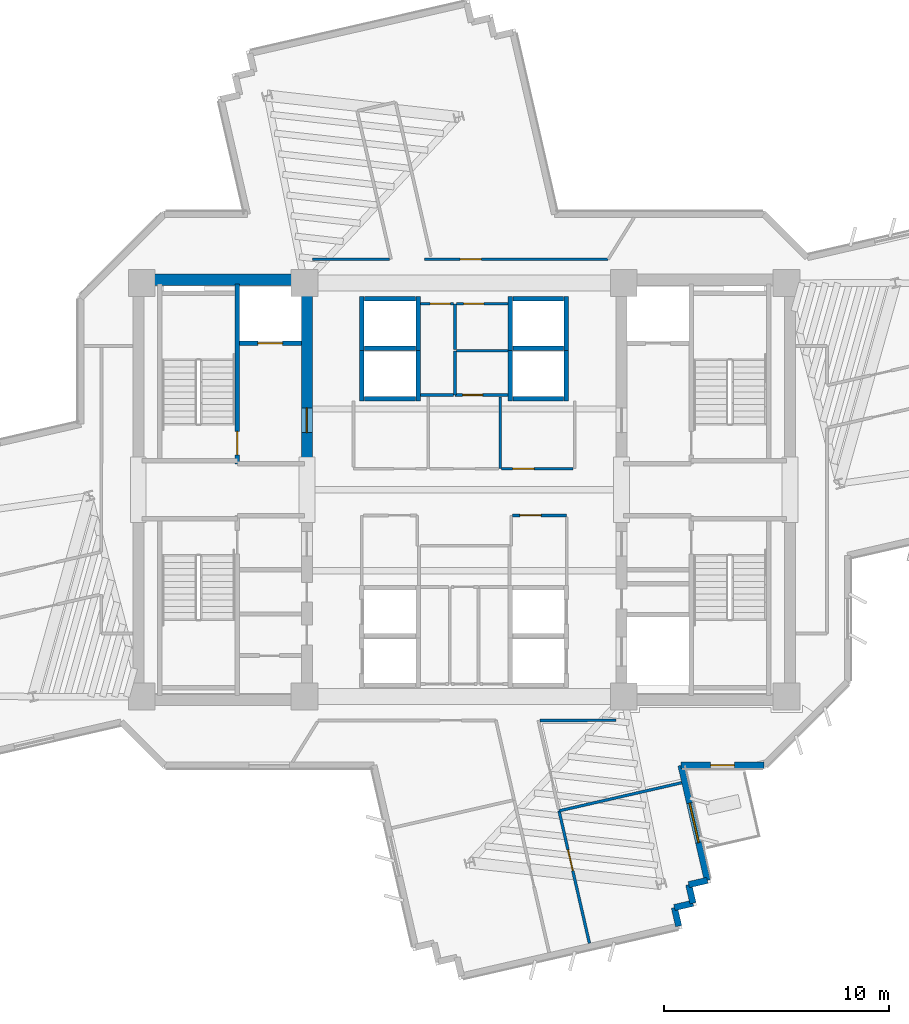
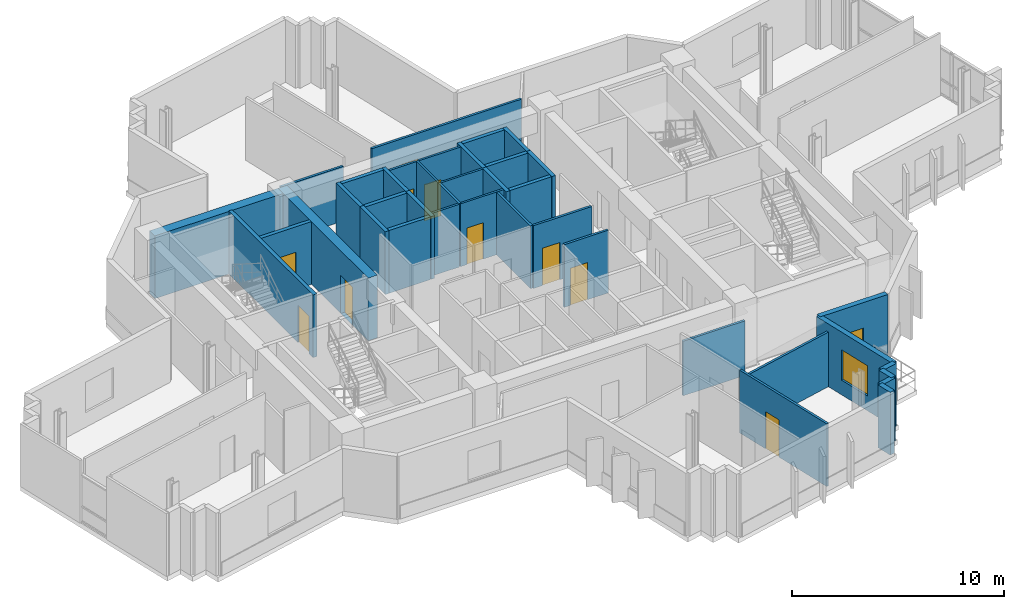
# One storey, part 8 of 13: 39 walls, 11 doors, 1 window, 12 openings.
"""IFC4 building model written with IfcOpenShell, lengths in metres."""

from ifc_helpers import new_model, si_unit, direction, frame, frame_2d, origin, place, context, subcontext, project, spatial, rectangle, extrude, source, transform, mapped, material, layer, layer_set, type_object, element, fill, save


model = new_model("IFC4")

# Units and contexts
model_context = context("Model", 3, precision=1e-05, world=origin(), true_north=direction((0.0, 1.0)))
body_context = subcontext(model_context, "Body", "Model", "MODEL_VIEW")
ifc_project = project(units=[si_unit("LENGTHUNIT", "METRE"), si_unit("AREAUNIT", "SQUARE_METRE"), si_unit("VOLUMEUNIT", "CUBIC_METRE"), si_unit("PLANEANGLEUNIT", "RADIAN"), si_unit("MASSUNIT", "GRAM", prefix="KILO")], contexts=[model_context])

# Site, building, storey
site_placement = place(None, origin())
site = spatial("IfcSite", under=ifc_project, at=site_placement, CompositionType="ELEMENT")
building_placement = place(site_placement, origin())
building = spatial("IfcBuilding", under=site, at=building_placement, Name="Zahravan Cultural Tower", CompositionType="ELEMENT")
storey_placement = place(building_placement, frame((0.0, 0.0, 170.699951171875)))
storey = spatial("IfcBuildingStorey", under=building, at=storey_placement, Name="L39", CompositionType="ELEMENT", Elevation=170.699951171875)

# Wall, opening, door
ifc_material_1 = material(Name="Concrete C60/75", Category="concrete")
ifc_layer_1 = layer(ifc_material_1, 0.5)
ifc_layer_set_1 = layer_set([ifc_layer_1], Name="Concrete C60/75")
wall_type_1 = type_object("IfcWallType", Name="CW-SHEAR-500-C60", PredefinedType="SHEAR", material=ifc_layer_set_1)
wall_1_placement = place(storey_placement, frame((29.0, 28.050048828125, 0.0), z_axis=(0.0, 0.0, 1.0), x_axis=(0.0, 1.0, 0.0)))
wall_1 = element("IfcWall", 1, at=wall_1_placement, inside=storey, type_object=wall_type_1, Name="L39 Core Shear Wall CW-W-EN-L39", PredefinedType="SHEAR", context=body_context, shape_type="SweptSolid", body=[
    extrude(rectangle(XDim=8.550048828125, YDim=0.5, at=frame_2d((4.27490234375, 0.0))), origin(), (0.0, 0.0, 1.0), 3.6201171875),
])
opening_1_placement = place(wall_1_placement, frame((1.5, 0.0, 0.0)))
opening_1 = element("IfcOpeningElement", 2, at=opening_1_placement, cuts=wall_1, Name="Opening D-L39-05", PredefinedType="OPENING", context=body_context, shape_type="SweptSolid", body=[
    extrude(rectangle(XDim=1.10009765625, YDim=2.199951171875, at=frame_2d((0.550048828125, 1.10009765625))), frame((0.0, 0.260009765625, 0.0), z_axis=(0.0, -1.0, 0.0), x_axis=(1.0, 0.0, 0.0)), (0.0, 0.0, 1.0), 0.52001953125),
])
ifc_material_2 = material(Name="Steel ASTM A572 Grade 50", Category="steel")
door_type_1 = type_object("IfcDoorType", Name="DR-LOBBY-1100", OperationType="NOTDEFINED", PredefinedType="DOOR", material=ifc_material_2)
shared_shape_1 = source(origin(), body_context, "Body", "SweptSolid", [
    extrude(rectangle(XDim=1.10009765625, YDim=2.199951171875, at=frame_2d((0.550048828125, 1.10009765625))), frame((0.0, 0.02490234375, 0.0), z_axis=(0.0, -1.0, 0.0), x_axis=(1.0, 0.0, 0.0)), (0.0, 0.0, 1.0), 0.050048828125),
])
door_1_placement = place(opening_1_placement, origin())
door_1 = element("IfcDoor", 3, at=door_1_placement, inside=storey, type_object=door_type_1, Name="L39 Door D-L39-05", OperationType="SINGLE_SWING_LEFT", OverallHeight=2.199951171875, OverallWidth=1.10009765625, PredefinedType="DOOR", context=body_context, shape_type="MappedRepresentation", body=[
    mapped(shared_shape_1, transform((0.0, 0.0, 0.0), x_axis=(1.0, 0.0, 0.0), y_axis=(0.0, 1.0, 0.0), z_axis=(0.0, 0.0, 1.0), scale=1.0)),
])
fill(opening_1, door_1)

ifc_material_3 = material(Name="Precast concrete C40/50", Category="concrete")
ifc_layer_2 = layer(ifc_material_3, 0.280029296875)
ifc_layer_set_2 = layer_set([ifc_layer_2], Name="Precast concrete C40/50")
wall_type_2 = type_object("IfcWallType", Name="EW-TC-280", PredefinedType="SOLIDWALL", material=ifc_layer_set_2)
wall_2_placement = place(storey_placement, frame((49.342041015625, 14.739990234375, 0.0), z_axis=(0.0, 0.0, 1.0), x_axis=(-1.0, 0.0, 0.0)))
wall_2 = element("IfcWall", 4, at=wall_2_placement, inside=storey, type_object=wall_type_2, Name="L39 Exterior Masonry Frame Wall 13", PredefinedType="SOLIDWALL", context=body_context, shape_type="SweptSolid", body=[
    extrude(rectangle(XDim=3.696533203125, YDim=0.280029296875, at=frame_2d((1.84814453125, 0.0))), origin(), (0.0, 0.0, 1.0), 3.6201171875),
])
opening_2_placement = place(wall_2_placement, frame((1.322998046875, 0.0, 0.0)))
opening_2 = element("IfcOpeningElement", 5, at=opening_2_placement, cuts=wall_2, Name="Opening D-L39-TR-SE", PredefinedType="OPENING", context=body_context, shape_type="SweptSolid", body=[
    extrude(rectangle(XDim=1.050048828125, YDim=2.14990234375, at=frame_2d((0.52490234375, 1.074951171875))), frame((0.0, 0.14990234375, 0.0), z_axis=(0.0, -1.0, 0.0), x_axis=(1.0, 0.0, 0.0)), (0.0, 0.0, 1.0), 0.300048828125),
])
ifc_material_4 = material(Name="Anodised bronze-aluminium mullion", Category="aluminium")
door_type_2 = type_object("IfcDoorType", Name="DR-TERR-1050", OperationType="NOTDEFINED", PredefinedType="DOOR", material=ifc_material_4)
shared_shape_2 = source(origin(), body_context, "Body", "SweptSolid", [
    extrude(rectangle(XDim=1.050048828125, YDim=2.14990234375, at=frame_2d((0.52490234375, 1.074951171875))), frame((0.0, 0.02490234375, 0.0), z_axis=(0.0, -1.0, 0.0), x_axis=(1.0, 0.0, 0.0)), (0.0, 0.0, 1.0), 0.050048828125),
])
door_2_placement = place(opening_2_placement, origin())
door_2 = element("IfcDoor", 6, at=door_2_placement, inside=storey, type_object=door_type_2, Name="L39 Terrace Access Door SE", OperationType="SINGLE_SWING_RIGHT", OverallHeight=2.14990234375, OverallWidth=1.050048828125, PredefinedType="DOOR", context=body_context, shape_type="MappedRepresentation", body=[
    mapped(shared_shape_2, transform((0.0, 0.0, 0.0), x_axis=(1.0, 0.0, 0.0), y_axis=(0.0, 1.0, 0.0), z_axis=(0.0, 0.0, 1.0), scale=1.0)),
])
fill(opening_2, door_2)

# Wall, opening, window
wall_3_placement = place(storey_placement, frame((45.6455078125, 14.739990234375, 0.0), z_axis=(0.0, 0.0, 1.0), x_axis=(0.223562871808, -0.974689510741, 0.0)))
wall_3 = element("IfcWall", 7, at=wall_3_placement, inside=storey, type_object=wall_type_2, Name="L39 Exterior Masonry Frame Wall 14", PredefinedType="SOLIDWALL", context=body_context, shape_type="SweptSolid", body=[
    extrude(rectangle(XDim=5.25390625, YDim=0.280029296875, at=frame_2d((2.626953125, 0.0))), origin(), (0.0, 0.0, 1.0), 3.6201171875),
])
opening_3_placement = place(wall_3_placement, frame((1.72705078125, 0.0, 0.85009765625)))
opening_3 = element("IfcOpeningElement", 8, at=opening_3_placement, cuts=wall_3, Name="Opening WN-02", PredefinedType="OPENING", context=body_context, shape_type="SweptSolid", body=[
    extrude(rectangle(XDim=1.800048828125, YDim=1.75, at=frame_2d((0.89990234375, 0.875))), frame((0.0, 0.14990234375, 0.0), z_axis=(0.0, -1.0, 0.0), x_axis=(1.0, 0.0, 0.0)), (0.0, 0.0, 1.0), 0.300048828125),
])
ifc_material_5 = material(Name="Low-E solar-control double glazing", Category="glass")
window_type = type_object("IfcWindowType", Name="WN-REC-1800X1750", PartitioningType="DOUBLE_PANEL_VERTICAL", PredefinedType="WINDOW", material=ifc_material_5)
shared_shape_3 = source(origin(), body_context, "Body", "SweptSolid", [
    extrude(rectangle(XDim=1.800048828125, YDim=1.75, at=frame_2d((0.89990234375, 0.875))), frame((0.0, 0.030029296875, 0.0), z_axis=(0.0, -1.0, 0.0), x_axis=(1.0, 0.0, 0.0)), (0.0, 0.0, 1.0), 0.06005859375),
])
window_placement = place(opening_3_placement, origin())
window = element("IfcWindow", 9, at=window_placement, inside=storey, type_object=window_type, Name="L39 Recessed Solar Window 04", OverallHeight=1.75, OverallWidth=1.800048828125, PartitioningType="DOUBLE_PANEL_VERTICAL", PredefinedType="WINDOW", context=body_context, shape_type="MappedRepresentation", body=[
    mapped(shared_shape_3, transform((0.0, 0.0, 0.0), x_axis=(1.0, 0.0, 0.0), y_axis=(0.0, 1.0, 0.0), z_axis=(0.0, 0.0, 1.0), scale=1.0)),
])
fill(opening_3, window)

# Wall, opening, door
ifc_material_6 = material(Name="Gypsum plasterboard partition")
ifc_layer_3 = layer(ifc_material_6, 0.125)
ifc_layer_set_3 = layer_set([ifc_layer_3], Name="Gypsum plasterboard partition")
wall_type_3 = type_object("IfcWallType", Name="W-PART-125", PredefinedType="PARTITIONING", material=ifc_layer_set_3)
wall_4_placement = place(storey_placement, frame((38.157470703125, 25.860107421875, 0.0), z_axis=(0.0, 0.0, 1.0), x_axis=(1.0, 0.0, 0.0)))
wall_4 = element("IfcWall", 10, at=wall_4_placement, inside=storey, type_object=wall_type_3, Name="L39 Interior Wall 079", PredefinedType="PARTITIONING", context=body_context, shape_type="SweptSolid", body=[
    extrude(rectangle(XDim=2.402587890625, YDim=0.125, at=frame_2d((1.201171875, 0.0))), origin(), (0.0, 0.0, 1.0), 3.6201171875),
])
opening_4_placement = place(wall_4_placement, frame((0.319580078125, 0.0, 0.0)))
opening_4 = element("IfcOpeningElement", 11, at=opening_4_placement, cuts=wall_4, Name="Opening D-L39-14", PredefinedType="OPENING", context=body_context, shape_type="SweptSolid", body=[
    extrude(rectangle(XDim=0.949951171875, YDim=2.14990234375, at=frame_2d((0.47509765625, 1.074951171875))), frame((0.0, 0.072509765625, 0.0), z_axis=(0.0, -1.0, 0.0), x_axis=(1.0, 0.0, 0.0)), (0.0, 0.0, 1.0), 0.14501953125),
])
door_type_3 = type_object("IfcDoorType", Name="DR-ROOM-950", OperationType="NOTDEFINED", PredefinedType="DOOR", material=ifc_material_4)
shared_shape_4 = source(origin(), body_context, "Body", "SweptSolid", [
    extrude(rectangle(XDim=0.949951171875, YDim=2.14990234375, at=frame_2d((0.47509765625, 1.074951171875))), frame((0.0, 0.02490234375, 0.0), z_axis=(0.0, -1.0, 0.0), x_axis=(1.0, 0.0, 0.0)), (0.0, 0.0, 1.0), 0.050048828125),
])
door_3_placement = place(opening_4_placement, origin())
door_3 = element("IfcDoor", 12, at=door_3_placement, inside=storey, type_object=door_type_3, Name="L39 Door D-L39-14", OperationType="SINGLE_SWING_RIGHT", OverallHeight=2.14990234375, OverallWidth=0.949951171875, PredefinedType="DOOR", context=body_context, shape_type="MappedRepresentation", body=[
    mapped(shared_shape_4, transform((0.0, 0.0, 0.0), x_axis=(1.0, 0.0, 0.0), y_axis=(0.0, 1.0, 0.0), z_axis=(0.0, 0.0, 1.0), scale=1.0)),
])
fill(opening_4, door_3)

wall_5_placement = place(storey_placement, frame((40.8525390625, 27.93994140625, 0.0), z_axis=(0.0, 0.0, 1.0), x_axis=(-1.0, 0.0, 0.0)))
wall_5 = element("IfcWall", 13, at=wall_5_placement, inside=storey, type_object=wall_type_3, Name="L39 Interior Wall 087", PredefinedType="PARTITIONING", context=body_context, shape_type="SweptSolid", body=[
    extrude(rectangle(XDim=3.18505859375, YDim=0.125, at=frame_2d((1.592529296875, 0.0))), origin(), (0.0, 0.0, 1.0), 3.6201171875),
])
opening_5_placement = place(wall_5_placement, frame((1.743408203125, 0.0, 0.0)))
opening_5 = element("IfcOpeningElement", 14, at=opening_5_placement, cuts=wall_5, Name="Opening D-L39-19", PredefinedType="OPENING", context=body_context, shape_type="SweptSolid", body=[
    extrude(rectangle(XDim=0.949951171875, YDim=2.14990234375, at=frame_2d((0.47509765625, 1.074951171875))), frame((0.0, 0.072509765625, 0.0), z_axis=(0.0, -1.0, 0.0), x_axis=(1.0, 0.0, 0.0)), (0.0, 0.0, 1.0), 0.14501953125),
])
door_4_placement = place(opening_5_placement, origin())
door_4 = element("IfcDoor", 15, at=door_4_placement, inside=storey, type_object=door_type_3, Name="L39 Door D-L39-19", OperationType="SINGLE_SWING_LEFT", OverallHeight=2.14990234375, OverallWidth=0.949951171875, PredefinedType="DOOR", context=body_context, shape_type="MappedRepresentation", body=[
    mapped(shared_shape_4, transform((0.0, 0.0, 0.0), x_axis=(1.0, 0.0, 0.0), y_axis=(0.0, 1.0, 0.0), z_axis=(0.0, 0.0, 1.0), scale=1.0)),
])
fill(opening_5, door_4)

wall_6_placement = place(storey_placement, frame((41.572998046875, 6.8203125, 0.0), z_axis=(0.0, 0.0, 1.0), x_axis=(-0.223588000718, 0.974683746625, 0.0)))
wall_6 = element("IfcWall", 16, at=wall_6_placement, inside=storey, type_object=wall_type_3, Name="L39 Interior Wall 093", PredefinedType="PARTITIONING", context=body_context, shape_type="SweptSolid", body=[
    extrude(rectangle(XDim=6.044921875, YDim=0.125, at=frame_2d((3.0224609375, 0.0))), origin(), (0.0, 0.0, 1.0), 3.6201171875),
])
opening_6_placement = place(wall_6_placement, frame((3.311767578125, 0.0, 0.0)))
opening_6 = element("IfcOpeningElement", 17, at=opening_6_placement, cuts=wall_6, Name="Opening D-L39-31", PredefinedType="OPENING", context=body_context, shape_type="SweptSolid", body=[
    extrude(rectangle(XDim=0.949951171875, YDim=2.14990234375, at=frame_2d((0.47509765625, 1.074951171875))), frame((0.0, 0.072509765625, 0.0), z_axis=(0.0, -1.0, 0.0), x_axis=(1.0, 0.0, 0.0)), (0.0, 0.0, 1.0), 0.14501953125),
])
door_5_placement = place(opening_6_placement, origin())
door_5 = element("IfcDoor", 18, at=door_5_placement, inside=storey, type_object=door_type_3, Name="L39 Door D-L39-31", OperationType="SINGLE_SWING_LEFT", OverallHeight=2.14990234375, OverallWidth=0.949951171875, PredefinedType="DOOR", context=body_context, shape_type="MappedRepresentation", body=[
    mapped(shared_shape_4, transform((0.0, 0.0, 0.0), x_axis=(1.0, 0.0, 0.0), y_axis=(0.0, 1.0, 0.0), z_axis=(0.0, 0.0, 1.0), scale=1.0)),
])
fill(opening_6, door_5)

wall_7_placement = place(storey_placement, frame((42.409423828125, 37.260009765625, 0.0), z_axis=(0.0, 0.0, 1.0), x_axis=(-1.0, 0.0, 0.0)))
wall_7 = element("IfcWall", 19, at=wall_7_placement, inside=storey, type_object=wall_type_3, Name="L39 Interior Wall 114", PredefinedType="PARTITIONING", context=body_context, shape_type="SweptSolid", body=[
    extrude(rectangle(XDim=8.185546875, YDim=0.125, at=frame_2d((4.0927734375, 0.0))), origin(), (0.0, 0.0, 1.0), 3.6201171875),
])
opening_7_placement = place(wall_7_placement, frame((5.643798828125, 0.0, 0.0)))
opening_7 = element("IfcOpeningElement", 20, at=opening_7_placement, cuts=wall_7, Name="Opening D-L39-25", PredefinedType="OPENING", context=body_context, shape_type="SweptSolid", body=[
    extrude(rectangle(XDim=0.949951171875, YDim=2.14990234375, at=frame_2d((0.47509765625, 1.074951171875))), frame((0.0, 0.072509765625, 0.0), z_axis=(0.0, -1.0, 0.0), x_axis=(1.0, 0.0, 0.0)), (0.0, 0.0, 1.0), 0.14501953125),
])
door_6_placement = place(opening_7_placement, origin())
door_6 = element("IfcDoor", 21, at=door_6_placement, inside=storey, type_object=door_type_3, Name="L39 Door D-L39-25", OperationType="SINGLE_SWING_LEFT", OverallHeight=2.14990234375, OverallWidth=0.949951171875, PredefinedType="DOOR", context=body_context, shape_type="MappedRepresentation", body=[
    mapped(shared_shape_4, transform((0.0, 0.0, 0.0), x_axis=(1.0, 0.0, 0.0), y_axis=(0.0, 1.0, 0.0), z_axis=(0.0, 0.0, 1.0), scale=1.0)),
])
fill(opening_7, door_6)

ifc_material_7 = material(Name="Concrete C45/55", Category="concrete")
ifc_layer_4 = layer(ifc_material_7, 0.199951171875)
ifc_layer_set_4 = layer_set([ifc_layer_4], Name="Concrete C45/55")
wall_type_4 = type_object("IfcWallType", Name="W-SHAFT-200", PredefinedType="SOLIDWALL", material=ifc_layer_set_4)
wall_8_placement = place(storey_placement, frame((25.89990234375, 28.14990234375, 0.0), z_axis=(0.0, 0.0, 1.0), x_axis=(0.0, 1.0, 0.0)))
wall_8 = element("IfcWall", 22, at=wall_8_placement, inside=storey, type_object=wall_type_4, Name="L39 Interior Wall 006", PredefinedType="SOLIDWALL", context=body_context, shape_type="SweptSolid", body=[
    extrude(rectangle(XDim=8.0, YDim=0.199951171875, at=frame_2d((4.0, 0.0))), origin(), (0.0, 0.0, 1.0), 3.6201171875),
])
opening_8_placement = place(wall_8_placement, frame((0.39990234375, 0.0, 0.0)))
opening_8 = element("IfcOpeningElement", 23, at=opening_8_placement, cuts=wall_8, Name="Opening D-L39-01", PredefinedType="OPENING", context=body_context, shape_type="SweptSolid", body=[
    extrude(rectangle(XDim=1.050048828125, YDim=2.14990234375, at=frame_2d((0.52490234375, 1.074951171875))), frame((0.0, 0.10986328125, 0.0), z_axis=(0.0, -1.0, 0.0), x_axis=(1.0, 0.0, 0.0)), (0.0, 0.0, 1.0), 0.219970703125),
])
door_type_4 = type_object("IfcDoorType", Name="DR-STAIR-1050", OperationType="NOTDEFINED", PredefinedType="DOOR", material=ifc_material_2)
door_7_placement = place(opening_8_placement, origin())
door_7 = element("IfcDoor", 24, at=door_7_placement, inside=storey, type_object=door_type_4, Name="L39 Door D-L39-01", OperationType="SINGLE_SWING_LEFT", OverallHeight=2.14990234375, OverallWidth=1.050048828125, PredefinedType="DOOR", context=body_context, shape_type="MappedRepresentation", body=[
    mapped(shared_shape_2, transform((0.0, 0.0, 0.0), x_axis=(1.0, 0.0, 0.0), y_axis=(0.0, 1.0, 0.0), z_axis=(0.0, 0.0, 1.0), scale=1.0)),
])
fill(opening_8, door_7)

wall_9_placement = place(storey_placement, frame((26.0, 33.52001953125, 0.0), z_axis=(0.0, 0.0, 1.0), x_axis=(1.0, 0.0, 0.0)))
wall_9 = element("IfcWall", 25, at=wall_9_placement, inside=storey, type_object=wall_type_4, Name="L39 Interior Wall 021", PredefinedType="SOLIDWALL", context=body_context, shape_type="SweptSolid", body=[
    extrude(rectangle(XDim=2.75, YDim=0.199951171875, at=frame_2d((1.375, 0.0))), origin(), (0.0, 0.0, 1.0), 3.6201171875),
])
opening_9_placement = place(wall_9_placement, frame((0.820068359375, 0.0, 0.0)))
opening_9 = element("IfcOpeningElement", 26, at=opening_9_placement, cuts=wall_9, Name="Opening LD-L39-01", PredefinedType="OPENING", context=body_context, shape_type="SweptSolid", body=[
    extrude(rectangle(XDim=1.10009765625, YDim=2.14990234375, at=frame_2d((0.550048828125, 1.074951171875))), frame((0.0, 0.10986328125, 0.0), z_axis=(0.0, -1.0, 0.0), x_axis=(1.0, 0.0, 0.0)), (0.0, 0.0, 1.0), 0.219970703125),
])
door_type_5 = type_object("IfcDoorType", Name="DR-LIFT-1100", OperationType="DOUBLE_DOOR_SLIDING", PredefinedType="DOOR", material=ifc_material_2)
shared_shape_5 = source(origin(), body_context, "Body", "SweptSolid", [
    extrude(rectangle(XDim=1.10009765625, YDim=2.14990234375, at=frame_2d((0.550048828125, 1.074951171875))), frame((0.0, 0.02490234375, 0.0), z_axis=(0.0, -1.0, 0.0), x_axis=(1.0, 0.0, 0.0)), (0.0, 0.0, 1.0), 0.050048828125),
])
door_8_placement = place(opening_9_placement, origin())
door_8 = element("IfcDoor", 27, at=door_8_placement, inside=storey, type_object=door_type_5, Name="L39 Door LD-L39-01", OperationType="DOUBLE_DOOR_SLIDING", OverallHeight=2.14990234375, OverallWidth=1.10009765625, PredefinedType="DOOR", context=body_context, shape_type="MappedRepresentation", body=[
    mapped(shared_shape_5, transform((0.0, 0.0, 0.0), x_axis=(1.0, 0.0, 0.0), y_axis=(0.0, 1.0, 0.0), z_axis=(0.0, 0.0, 1.0), scale=1.0)),
])
fill(opening_9, door_8)

ifc_layer_5 = layer(ifc_material_6, 0.114990234375)
ifc_layer_set_5 = layer_set([ifc_layer_5], Name="Gypsum plasterboard partition")
wall_type_5 = type_object("IfcWallType", Name="W-WC-115", PredefinedType="PARTITIONING", material=ifc_layer_set_5)
wall_10_placement = place(storey_placement, frame((37.945068359375, 31.219970703125, 0.0), z_axis=(0.0, 0.0, 1.0), x_axis=(-1.0, 0.0, 0.0)))
wall_10 = element("IfcWall", 28, at=wall_10_placement, inside=storey, type_object=wall_type_5, Name="L39 Interior Wall 057", PredefinedType="PARTITIONING", context=body_context, shape_type="SweptSolid", body=[
    extrude(rectangle(XDim=2.35498046875, YDim=0.114990234375, at=frame_2d((1.177490234375, 0.0))), origin(), (0.0, 0.0, 1.0), 3.6201171875),
])
opening_10_placement = place(wall_10_placement, frame((1.120849609375, 0.0, 0.0)))
opening_10 = element("IfcOpeningElement", 29, at=opening_10_placement, cuts=wall_10, Name="Opening D-L39-33", PredefinedType="OPENING", context=body_context, shape_type="SweptSolid", body=[
    extrude(rectangle(XDim=0.89990234375, YDim=2.10009765625, at=frame_2d((0.449951171875, 1.050048828125))), frame((0.0, 0.0673828125, 0.0), z_axis=(0.0, -1.0, 0.0), x_axis=(1.0, 0.0, 0.0)), (0.0, 0.0, 1.0), 0.135009765625),
])
door_type_6 = type_object("IfcDoorType", Name="DR-WC-900", OperationType="NOTDEFINED", PredefinedType="DOOR", material=ifc_material_4)
shared_shape_6 = source(origin(), body_context, "Body", "SweptSolid", [
    extrude(rectangle(XDim=0.89990234375, YDim=2.10009765625, at=frame_2d((0.449951171875, 1.050048828125))), frame((0.0, 0.02490234375, 0.0), z_axis=(0.0, -1.0, 0.0), x_axis=(1.0, 0.0, 0.0)), (0.0, 0.0, 1.0), 0.050048828125),
])
door_9_placement = place(opening_10_placement, origin())
door_9 = element("IfcDoor", 30, at=door_9_placement, inside=storey, type_object=door_type_6, Name="L39 Door D-L39-33", OperationType="SINGLE_SWING_LEFT", OverallHeight=2.10009765625, OverallWidth=0.89990234375, PredefinedType="DOOR", context=body_context, shape_type="MappedRepresentation", body=[
    mapped(shared_shape_6, transform((0.0, 0.0, 0.0), x_axis=(1.0, 0.0, 0.0), y_axis=(0.0, 1.0, 0.0), z_axis=(0.0, 0.0, 1.0), scale=1.0)),
])
fill(opening_10, door_9)

wall_11_placement = place(storey_placement, frame((35.652587890625, 35.280029296875, 0.0), z_axis=(0.0, 0.0, 1.0), x_axis=(1.0, 0.0, 0.0)))
wall_11 = element("IfcWall", 31, at=wall_11_placement, inside=storey, type_object=wall_type_5, Name="L39 Interior Wall 061", PredefinedType="PARTITIONING", context=body_context, shape_type="SweptSolid", body=[
    extrude(rectangle(XDim=2.29248046875, YDim=0.114990234375, at=frame_2d((1.146240234375, 0.0))), origin(), (0.0, 0.0, 1.0), 3.6201171875),
])
opening_11_placement = place(wall_11_placement, frame((0.3203125, 0.0, 0.0)))
opening_11 = element("IfcOpeningElement", 32, at=opening_11_placement, cuts=wall_11, Name="Opening D-L39-16", PredefinedType="OPENING", context=body_context, shape_type="SweptSolid", body=[
    extrude(rectangle(XDim=0.89990234375, YDim=2.10009765625, at=frame_2d((0.449951171875, 1.050048828125))), frame((0.0, 0.0673828125, 0.0), z_axis=(0.0, -1.0, 0.0), x_axis=(1.0, 0.0, 0.0)), (0.0, 0.0, 1.0), 0.135009765625),
])
door_10_placement = place(opening_11_placement, origin())
door_10 = element("IfcDoor", 33, at=door_10_placement, inside=storey, type_object=door_type_6, Name="L39 Door D-L39-16", OperationType="SINGLE_SWING_RIGHT", OverallHeight=2.10009765625, OverallWidth=0.89990234375, PredefinedType="DOOR", context=body_context, shape_type="MappedRepresentation", body=[
    mapped(shared_shape_6, transform((0.0, 0.0, 0.0), x_axis=(1.0, 0.0, 0.0), y_axis=(0.0, 1.0, 0.0), z_axis=(0.0, 0.0, 1.0), scale=1.0)),
])
fill(opening_11, door_10)

wall_12_placement = place(storey_placement, frame((34.054931640625, 35.280029296875, 0.0), z_axis=(0.0, 0.0, 1.0), x_axis=(1.0, 0.0, 0.0)))
wall_12 = element("IfcWall", 34, at=wall_12_placement, inside=storey, type_object=wall_type_5, Name="L39 Interior Wall 071", PredefinedType="PARTITIONING", context=body_context, shape_type="SweptSolid", body=[
    extrude(rectangle(XDim=1.47265625, YDim=0.114990234375, at=frame_2d((0.736328125, 0.0))), origin(), (0.0, 0.0, 1.0), 3.6201171875),
])
opening_12_placement = place(wall_12_placement, frame((0.4326171875, 0.0, 0.0)))
opening_12 = element("IfcOpeningElement", 35, at=opening_12_placement, cuts=wall_12, Name="Opening D-L39-15", PredefinedType="OPENING", context=body_context, shape_type="SweptSolid", body=[
    extrude(rectangle(XDim=0.89990234375, YDim=2.10009765625, at=frame_2d((0.449951171875, 1.050048828125))), frame((0.0, 0.0673828125, 0.0), z_axis=(0.0, -1.0, 0.0), x_axis=(1.0, 0.0, 0.0)), (0.0, 0.0, 1.0), 0.135009765625),
])
door_11_placement = place(opening_12_placement, origin())
door_11 = element("IfcDoor", 36, at=door_11_placement, inside=storey, type_object=door_type_6, Name="L39 Door D-L39-15", OperationType="SINGLE_SWING_LEFT", OverallHeight=2.10009765625, OverallWidth=0.89990234375, PredefinedType="DOOR", context=body_context, shape_type="MappedRepresentation", body=[
    mapped(shared_shape_6, transform((0.0, 0.0, 0.0), x_axis=(1.0, 0.0, 0.0), y_axis=(0.0, 1.0, 0.0), z_axis=(0.0, 0.0, 1.0), scale=1.0)),
])
fill(opening_12, door_11)

# Walls
shared_shape_7 = source(origin(), body_context, "Body", "SweptSolid", [
    extrude(rectangle(XDim=7.0, YDim=0.5, at=frame_2d((3.5, 0.0))), origin(), (0.0, 0.0, 1.0), 3.6201171875),
])
wall_13_placement = place(storey_placement, frame((21.75, 36.35009765625, 0.0), z_axis=(0.0, 0.0, 1.0), x_axis=(1.0, 0.0, 0.0)))
element("IfcWall", 37, at=wall_13_placement, inside=storey, type_object=wall_type_1, Name="L39 Core Shear Wall CW-W-N-L39", PredefinedType="SHEAR", context=body_context, shape_type="MappedRepresentation", body=[
    mapped(shared_shape_7, transform((0.0, 0.0, 0.0), x_axis=(1.0, 0.0, 0.0), y_axis=(0.0, 1.0, 0.0), z_axis=(0.0, 0.0, 1.0), scale=1.0)),
])
shared_shape_8 = source(origin(), body_context, "Body", "SweptSolid", [
    extrude(rectangle(XDim=0.85009765625, YDim=0.280029296875, at=frame_2d((0.425048828125, 0.0))), origin(), (0.0, 0.0, 1.0), 3.6201171875),
])
for number, where, z_axis, x_axis, name in (
    (38, (45.99169921875, 9.42919921875, 0.0), (0.0, 0.0, 1.0), (0.223433001597, -0.974719289743, 0.0), "L39 Exterior Masonry Frame Wall 16"),
    (39, (46.181640625, 8.6005859375, 0.0), (0.0, 0.0, 1.0), (-0.974719289743, -0.223433001597, 0.0), "L39 Exterior Masonry Frame Wall 17"),
):
    element("IfcWall", number, at=place(storey_placement, frame(where, z_axis=z_axis, x_axis=x_axis)), inside=storey, type_object=wall_type_2, Name=name, PredefinedType="SOLIDWALL", context=body_context, shape_type="MappedRepresentation", body=[
        mapped(shared_shape_8, transform((0.0, 0.0, 0.0), x_axis=(1.0, 0.0, 0.0), y_axis=(0.0, 1.0, 0.0), z_axis=(0.0, 0.0, 1.0), scale=1.0)),
    ])
shared_shape_9 = source(origin(), body_context, "Body", "SweptSolid", [
    extrude(rectangle(XDim=0.849853515625, YDim=0.280029296875, at=frame_2d((0.4248046875, 0.0))), origin(), (0.0, 0.0, 1.0), 3.6201171875),
])
for number, where, z_axis, x_axis, name in (
    (40, (46.820068359375, 9.619140625, 0.0), (0.0, 0.0, 1.0), (-0.974704946586, -0.223495563939, 0.0), "L39 Exterior Masonry Frame Wall 15"),
    (41, (45.35302734375, 8.41064453125, 0.0), (0.0, 0.0, 1.0), (0.223768457828, -0.974642333003, 0.0), "L39 Exterior Masonry Frame Wall 18"),
):
    element("IfcWall", number, at=place(storey_placement, frame(where, z_axis=z_axis, x_axis=x_axis)), inside=storey, type_object=wall_type_2, Name=name, PredefinedType="SOLIDWALL", context=body_context, shape_type="MappedRepresentation", body=[
        mapped(shared_shape_9, transform((0.0, 0.0, 0.0), x_axis=(1.0, 0.0, 0.0), y_axis=(0.0, 1.0, 0.0), z_axis=(0.0, 0.0, 1.0), scale=1.0)),
    ])
shared_shape_10 = source(origin(), body_context, "Body", "SweptSolid", [
    extrude(rectangle(XDim=2.400146484375, YDim=0.199951171875, at=frame_2d((1.2001953125, 0.0))), origin(), (0.0, 0.0, 1.0), 3.6201171875),
])
for number, where, z_axis, x_axis, name in (
    (42, (31.449951171875, 33.199951171875, 0.0), (0.0, 0.0, 1.0), (0.0, 1.0, 0.0), "L39 Interior Wall 029"),
    (43, (33.949951171875, 33.199951171875, 0.0), (0.0, 0.0, 1.0), (0.0, 1.0, 0.0), "L39 Interior Wall 030"),
    (44, (31.449951171875, 30.949951171875, 0.0), (0.0, 0.0, 1.0), (0.0, 1.0, 0.0), "L39 Interior Wall 033"),
    (45, (33.949951171875, 30.949951171875, 0.0), (0.0, 0.0, 1.0), (0.0, 1.0, 0.0), "L39 Interior Wall 034"),
    (46, (38.050048828125, 33.199951171875, 0.0), (0.0, 0.0, 1.0), (0.0, 1.0, 0.0), "L39 Interior Wall 036"),
    (47, (40.550048828125, 33.199951171875, 0.0), (0.0, 0.0, 1.0), (0.0, 1.0, 0.0), "L39 Interior Wall 037"),
    (48, (38.050048828125, 30.949951171875, 0.0), (0.0, 0.0, 1.0), (0.0, 1.0, 0.0), "L39 Interior Wall 040"),
    (49, (40.550048828125, 30.949951171875, 0.0), (0.0, 0.0, 1.0), (0.0, 1.0, 0.0), "L39 Interior Wall 041"),
):
    element("IfcWall", number, at=place(storey_placement, frame(where, z_axis=z_axis, x_axis=x_axis)), inside=storey, type_object=wall_type_4, Name=name, PredefinedType="SOLIDWALL", context=body_context, shape_type="MappedRepresentation", body=[
        mapped(shared_shape_10, transform((0.0, 0.0, 0.0), x_axis=(1.0, 0.0, 0.0), y_axis=(0.0, 1.0, 0.0), z_axis=(0.0, 0.0, 1.0), scale=1.0)),
    ])
shared_shape_11 = source(origin(), body_context, "Body", "SweptSolid", [
    extrude(rectangle(XDim=2.260009765625, YDim=0.199951171875, at=frame_2d((1.1298828125, 0.0))), origin(), (0.0, 0.0, 1.0), 3.6201171875),
])
for number, where, z_axis, x_axis, name in (
    (50, (31.570068359375, 33.300048828125, 0.0), (0.0, 0.0, 1.0), (1.0, 0.0, 0.0), "L39 Interior Wall 031"),
    (51, (31.570068359375, 35.5, 0.0), (0.0, 0.0, 1.0), (1.0, 0.0, 0.0), "L39 Interior Wall 032"),
    (52, (31.570068359375, 31.050048828125, 0.0), (0.0, 0.0, 1.0), (1.0, 0.0, 0.0), "L39 Interior Wall 035"),
    (53, (38.169921875, 33.300048828125, 0.0), (0.0, 0.0, 1.0), (1.0, 0.0, 0.0), "L39 Interior Wall 038"),
    (54, (38.169921875, 35.5, 0.0), (0.0, 0.0, 1.0), (1.0, 0.0, 0.0), "L39 Interior Wall 039"),
    (55, (38.169921875, 31.050048828125, 0.0), (0.0, 0.0, 1.0), (1.0, 0.0, 0.0), "L39 Interior Wall 042"),
):
    element("IfcWall", number, at=place(storey_placement, frame(where, z_axis=z_axis, x_axis=x_axis)), inside=storey, type_object=wall_type_4, Name=name, PredefinedType="SOLIDWALL", context=body_context, shape_type="MappedRepresentation", body=[
        mapped(shared_shape_11, transform((0.0, 0.0, 0.0), x_axis=(1.0, 0.0, 0.0), y_axis=(0.0, 1.0, 0.0), z_axis=(0.0, 0.0, 1.0), scale=1.0)),
    ])
shared_shape_12 = source(origin(), body_context, "Body", "SweptSolid", [
    extrude(rectangle(XDim=1.9599609375, YDim=0.114990234375, at=frame_2d((0.97998046875, 0.0))), origin(), (0.0, 0.0, 1.0), 3.6201171875),
])
wall_14_placement = place(storey_placement, frame((35.590087890625, 31.219970703125, 0.0), z_axis=(0.0, 0.0, 1.0), x_axis=(0.0, 1.0, 0.0)))
element("IfcWall", 56, at=wall_14_placement, inside=storey, type_object=wall_type_5, Name="L39 Interior Wall 058", PredefinedType="PARTITIONING", context=body_context, shape_type="MappedRepresentation", body=[
    mapped(shared_shape_12, transform((0.0, 0.0, 0.0), x_axis=(1.0, 0.0, 0.0), y_axis=(0.0, 1.0, 0.0), z_axis=(0.0, 0.0, 1.0), scale=1.0)),
])
shared_shape_13 = source(origin(), body_context, "Body", "SweptSolid", [
    extrude(rectangle(XDim=2.29248046875, YDim=0.114990234375, at=frame_2d((1.146240234375, 0.0))), origin(), (0.0, 0.0, 1.0), 3.6201171875),
])
wall_15_placement = place(storey_placement, frame((35.652587890625, 33.179931640625, 0.0), z_axis=(0.0, 0.0, 1.0), x_axis=(1.0, 0.0, 0.0)))
element("IfcWall", 57, at=wall_15_placement, inside=storey, type_object=wall_type_5, Name="L39 Interior Wall 059", PredefinedType="PARTITIONING", context=body_context, shape_type="MappedRepresentation", body=[
    mapped(shared_shape_13, transform((0.0, 0.0, 0.0), x_axis=(1.0, 0.0, 0.0), y_axis=(0.0, 1.0, 0.0), z_axis=(0.0, 0.0, 1.0), scale=1.0)),
])
shared_shape_14 = source(origin(), body_context, "Body", "SweptSolid", [
    extrude(rectangle(XDim=2.0400390625, YDim=0.114990234375, at=frame_2d((1.02001953125, 0.0))), origin(), (0.0, 0.0, 1.0), 3.6201171875),
])
wall_16_placement = place(storey_placement, frame((35.590087890625, 33.239990234375, 0.0), z_axis=(0.0, 0.0, 1.0), x_axis=(0.0, 1.0, 0.0)))
element("IfcWall", 58, at=wall_16_placement, inside=storey, type_object=wall_type_5, Name="L39 Interior Wall 060", PredefinedType="PARTITIONING", context=body_context, shape_type="MappedRepresentation", body=[
    mapped(shared_shape_14, transform((0.0, 0.0, 0.0), x_axis=(1.0, 0.0, 0.0), y_axis=(0.0, 1.0, 0.0), z_axis=(0.0, 0.0, 1.0), scale=1.0)),
])
shared_shape_15 = source(origin(), body_context, "Body", "SweptSolid", [
    extrude(rectangle(XDim=1.47265625, YDim=0.114990234375, at=frame_2d((0.736328125, 0.0))), origin(), (0.0, 0.0, 1.0), 3.6201171875),
])
wall_17_placement = place(storey_placement, frame((35.527587890625, 31.219970703125, 0.0), z_axis=(0.0, 0.0, 1.0), x_axis=(-1.0, 0.0, 0.0)))
element("IfcWall", 59, at=wall_17_placement, inside=storey, type_object=wall_type_5, Name="L39 Interior Wall 070", PredefinedType="PARTITIONING", context=body_context, shape_type="MappedRepresentation", body=[
    mapped(shared_shape_15, transform((0.0, 0.0, 0.0), x_axis=(1.0, 0.0, 0.0), y_axis=(0.0, 1.0, 0.0), z_axis=(0.0, 0.0, 1.0), scale=1.0)),
])
shared_shape_16 = source(origin(), body_context, "Body", "SweptSolid", [
    extrude(rectangle(XDim=3.199951171875, YDim=0.125, at=frame_2d((1.60009765625, 0.0))), origin(), (0.0, 0.0, 1.0), 3.6201171875),
])
wall_18_placement = place(storey_placement, frame((37.60009765625, 31.139892578125, 0.0), z_axis=(0.0, 0.0, 1.0), x_axis=(0.0, -1.0, 0.0)))
element("IfcWall", 60, at=wall_18_placement, inside=storey, type_object=wall_type_3, Name="L39 Interior Wall 082", PredefinedType="PARTITIONING", context=body_context, shape_type="MappedRepresentation", body=[
    mapped(shared_shape_16, transform((0.0, 0.0, 0.0), x_axis=(1.0, 0.0, 0.0), y_axis=(0.0, 1.0, 0.0), z_axis=(0.0, 0.0, 1.0), scale=1.0)),
])
shared_shape_17 = source(origin(), body_context, "Body", "SweptSolid", [
    extrude(rectangle(XDim=5.594970703125, YDim=0.125, at=frame_2d((2.79736328125, 0.0))), origin(), (0.0, 0.0, 1.0), 3.149169921875),
])
wall_19_placement = place(storey_placement, frame((40.221435546875, 12.712158203125, 0.0), z_axis=(0.0, 0.0, 1.0), x_axis=(0.974683801791, 0.223587760235, 0.0)))
element("IfcWall", 61, at=wall_19_placement, inside=storey, type_object=wall_type_3, Name="L39 Interior Wall 092", PredefinedType="PARTITIONING", context=body_context, shape_type="MappedRepresentation", body=[
    mapped(shared_shape_17, transform((0.0, 0.0, 0.0), x_axis=(1.0, 0.0, 0.0), y_axis=(0.0, 1.0, 0.0), z_axis=(0.0, 0.0, 1.0), scale=1.0)),
])
shared_shape_18 = source(origin(), body_context, "Body", "SweptSolid", [
    extrude(rectangle(XDim=3.3798828125, YDim=0.125, at=frame_2d((1.68994140625, 0.0))), origin(), (0.0, 0.0, 1.0), 3.149169921875),
])
wall_20_placement = place(storey_placement, frame((39.36669921875, 16.739990234375, 0.0), z_axis=(0.0, 0.0, 1.0), x_axis=(0.999999934779, 0.000361167269, 0.0)))
element("IfcWall", 62, at=wall_20_placement, inside=storey, type_object=wall_type_3, Name="L39 Interior Wall 095", PredefinedType="PARTITIONING", context=body_context, shape_type="MappedRepresentation", body=[
    mapped(shared_shape_18, transform((0.0, 0.0, 0.0), x_axis=(1.0, 0.0, 0.0), y_axis=(0.0, 1.0, 0.0), z_axis=(0.0, 0.0, 1.0), scale=1.0)),
])
shared_shape_19 = source(origin(), body_context, "Body", "SweptSolid", [
    extrude(rectangle(XDim=3.41943359375, YDim=0.125, at=frame_2d((1.709716796875, 0.0))), origin(), (0.0, 0.0, 1.0), 3.149169921875),
])
wall_21_placement = place(storey_placement, frame((32.67431640625, 37.260009765625, 0.0), z_axis=(0.0, 0.0, 1.0), x_axis=(-0.999999936279, -0.000356989839, 0.0)))
element("IfcWall", 63, at=wall_21_placement, inside=storey, type_object=wall_type_3, Name="L39 Interior Wall 113", PredefinedType="PARTITIONING", context=body_context, shape_type="MappedRepresentation", body=[
    mapped(shared_shape_19, transform((0.0, 0.0, 0.0), x_axis=(1.0, 0.0, 0.0), y_axis=(0.0, 1.0, 0.0), z_axis=(0.0, 0.0, 1.0), scale=1.0)),
])

save(model, "model.ifc")
